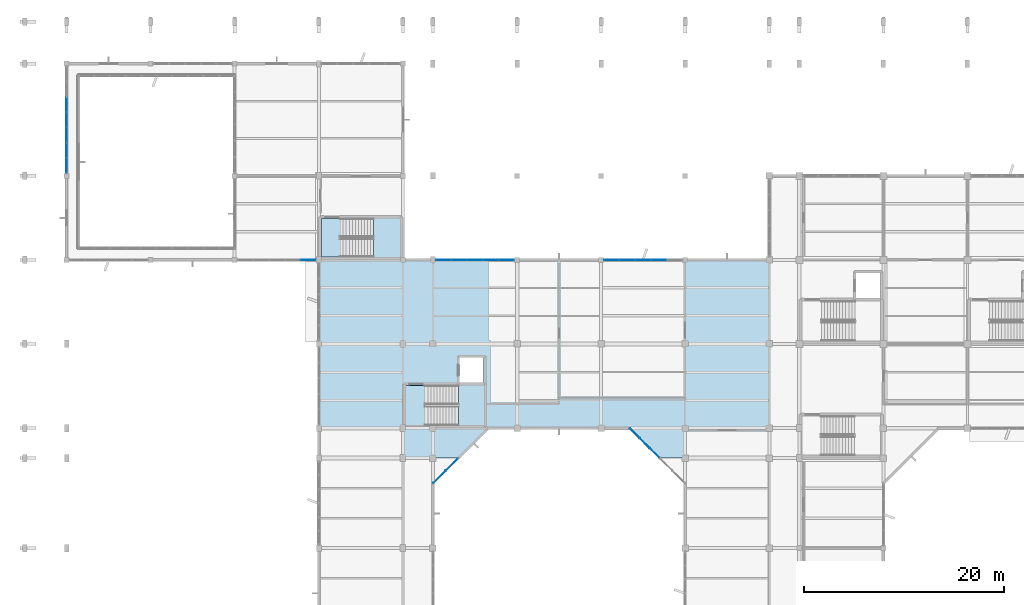
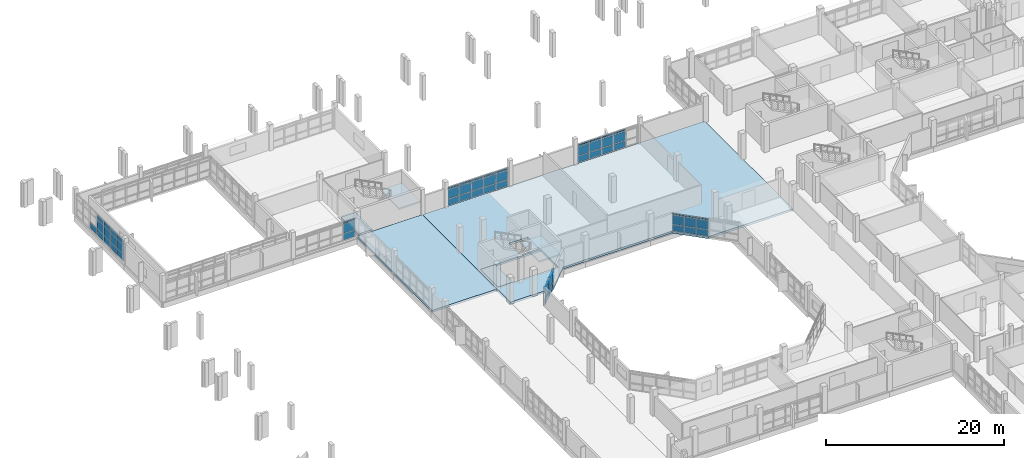
# One storey, part 59 of 104: 58 plates, 6 slabs, 8 elements without a shape of their own.
"""IFC4 building model written with IfcOpenShell, lengths in metres."""

import ifcopenshell
import ifcopenshell.guid

model = None  # the IFC model being written
_history = None  # IfcOwnerHistory: only IFC2X3 demands one
_inside = {}  # id of a spatial element -> (the spatial element, [elements in it])
_under = {}  # id of a project, library or spatial element -> (it, [spatial elements below it])
_declared = {}  # id of a project -> (the project, [libraries it declares])
_typed = {}  # id of a type object -> (the type object, [elements of that type])
_made_of = {}  # id of a material, layer set ... -> (it, [elements and type objects made of it])


def new_model(schema):
    """Start an empty IFC model of exactly this schema.

    Asked for "IFC4X3", IfcOpenShell would pick the latest addendum, in which some entities
    have other attributes; the version numbers below select the first issue.
    IFC2X3 requires an IfcOwnerHistory on every rooted entity: one is made here for all.
    """
    global model, _history
    if schema == "IFC4X3":
        model = ifcopenshell.file(schema_version=(4, 3, 0, 0))
    else:
        model = ifcopenshell.file(schema=schema)
    _inside.clear()
    _under.clear()
    _declared.clear()
    _typed.clear()
    _made_of.clear()
    _history = None
    if model.schema == "IFC2X3":
        org = make("IfcOrganization", Name="unknown")
        user = make(
            "IfcPersonAndOrganization",
            ThePerson=make("IfcPerson", FamilyName="unknown"),
            TheOrganization=org,
        )
        app = make(
            "IfcApplication",
            ApplicationDeveloper=org,
            Version="unknown",
            ApplicationFullName="unknown",
            ApplicationIdentifier="unknown",
        )
        _history = make(
            "IfcOwnerHistory",
            OwningUser=user,
            OwningApplication=app,
            ChangeAction="ADDED",
            CreationDate=0,
        )
    return model


def make(cls, **values):
    """One entity of the class cls with the attributes given. An attribute that is None is left unset."""
    return model.create_entity(
        cls, **{name: value for name, value in values.items() if value is not None}
    )


def rooted(cls, **values):
    """An entity with a GlobalId (a new one), such as an element, a storey or a relation."""
    return make(cls, GlobalId=ifcopenshell.guid.new(), OwnerHistory=_history, **values)


def si_unit(unit_type, name, prefix=None):
    """IfcSIUnit, for example si_unit("LENGTHUNIT", "METRE", prefix="MILLI")."""
    return make("IfcSIUnit", UnitType=unit_type, Prefix=prefix, Name=name)


def assignment(units):
    """IfcUnitAssignment: the units of a project."""
    return None if units is None else make("IfcUnitAssignment", Units=units)


def point(xyz):
    """IfcCartesianPoint."""
    return None if xyz is None else make("IfcCartesianPoint", Coordinates=xyz)


def direction(xyz):
    """IfcDirection."""
    return None if xyz is None else make("IfcDirection", DirectionRatios=xyz)


def frame(location, z_axis=None, x_axis=None):
    """IfcAxis2Placement3D, a coordinate frame: its origin and axes. An axis left out is left unset."""
    return make(
        "IfcAxis2Placement3D",
        Location=point(location),
        Axis=direction(z_axis),
        RefDirection=direction(x_axis),
    )


def frame_2d(location, x_axis=None):
    """IfcAxis2Placement2D, a coordinate frame in the plane: its origin and x axis."""
    return make(
        "IfcAxis2Placement2D", Location=point(location), RefDirection=direction(x_axis)
    )


def origin():
    """The frame at (0, 0, 0) with its axes left unset."""
    return frame((0.0, 0.0, 0.0))


def origin_2d():
    """The frame at (0, 0) in the plane with its x axis left unset."""
    return frame_2d((0.0, 0.0))


def place(relative_to, where):
    """IfcLocalPlacement: puts the frame where relative to a parent placement (None: the world)."""
    return make(
        "IfcLocalPlacement", PlacementRelTo=relative_to, RelativePlacement=where
    )


def context(
    kind, dimensions, precision=None, world=None, true_north=None, identifier=None
):
    """IfcGeometricRepresentationContext, for example the 3D "Model" context."""
    return make(
        "IfcGeometricRepresentationContext",
        ContextIdentifier=identifier,
        ContextType=kind,
        CoordinateSpaceDimension=dimensions,
        Precision=precision,
        WorldCoordinateSystem=world,
        TrueNorth=true_north,
    )


def subcontext(parent, identifier, kind, view, scale=None):
    """IfcGeometricRepresentationSubContext, for example "Body" below "Model"."""
    return make(
        "IfcGeometricRepresentationSubContext",
        ContextIdentifier=identifier,
        ContextType=kind,
        ParentContext=parent,
        TargetScale=scale,
        TargetView=view,
    )


def project(units=None, contexts=None):
    """IfcProject with its units and contexts."""
    return rooted(
        "IfcProject",
        Name="project",
        RepresentationContexts=contexts,
        UnitsInContext=assignment(units),
    )


def spatial(cls, under=None, at=None, **own):
    """A site, building, storey or space (cls), placed at a placement, below another one or the project."""
    s = rooted(cls, ObjectPlacement=at, **own)
    if under is not None:
        _under.setdefault(under.id(), (under, []))[1].append(s)
    return s


def polyline(points):
    """IfcPolyline through the points."""
    return make("IfcPolyline", Points=[point(p) for p in points])


def profile(cls, at=None, kind="AREA", **sizes):
    """A parametric profile (cls). Its sizes go by their IFC names, for example OverallWidth=200.0."""
    return make(cls, ProfileType=kind, Position=at, **sizes)


def rectangle(**sizes):
    """IfcRectangleProfileDef."""
    return profile("IfcRectangleProfileDef", **sizes)


def outline(outer, holes=None, kind="AREA"):
    """IfcArbitraryClosedProfileDef: a profile drawn as a closed curve; with holes, ...WithVoids."""
    if holes is None:
        return make("IfcArbitraryClosedProfileDef", ProfileType=kind, OuterCurve=outer)
    return make(
        "IfcArbitraryProfileDefWithVoids",
        ProfileType=kind,
        OuterCurve=outer,
        InnerCurves=holes,
    )


def extrude(swept, where, along, depth):
    """IfcExtrudedAreaSolid: the profile swept, set in the frame where, extruded along a direction by depth."""
    return make(
        "IfcExtrudedAreaSolid",
        SweptArea=swept,
        Position=where,
        ExtrudedDirection=direction(along),
        Depth=depth,
    )


def shape(context_of_items, identifier, shape_type, items):
    """IfcShapeRepresentation: the items that make up one representation, for example the "Body"."""
    return make(
        "IfcShapeRepresentation",
        ContextOfItems=context_of_items,
        RepresentationIdentifier=identifier,
        RepresentationType=shape_type,
        Items=items,
    )


def material(Name=None, Category=None):
    """IfcMaterial."""
    return make("IfcMaterial", Name=Name, Category=Category)


def layer(
    of_material, thickness, ventilated=None, Name=None, Category=None, Priority=None
):
    """IfcMaterialLayer: one layer of a wall or slab, of a material (None: an air gap)."""
    return make(
        "IfcMaterialLayer",
        Material=of_material,
        LayerThickness=thickness,
        IsVentilated=ventilated,
        Name=Name,
        Category=Category,
        Priority=Priority,
    )


def layer_set(layers, Name=None):
    """IfcMaterialLayerSet."""
    return make("IfcMaterialLayerSet", MaterialLayers=layers, LayerSetName=Name)


def made_of(thing, what):
    """Note that an element or type object is made of a material, layer set ...; save() writes the relation."""
    if what is not None:
        _made_of.setdefault(what.id(), (what, []))[1].append(thing)
    return thing


def type_object(cls, material=None, **own):
    """A type object (cls), such as IfcWallType, which elements share."""
    return made_of(rooted(cls, **own), material)


def element(
    cls,
    number,
    at=None,
    inside=None,
    cuts=None,
    type_object=None,
    material=None,
    context=None,
    identifier="Body",
    shape_type=None,
    held_by="IfcProductDefinitionShape",
    body=None,
    shapes=None,
    **own,
):
    """One element of the class cls, such as IfcWall. Its Tag is "e" and its number.

    at: its placement. inside: the storey or other place that contains it. cuts: it is an
    opening in that element (IfcRelVoidsElement). A single representation is given by context,
    identifier, shape_type and body (its items); several are given by shapes. held_by: the class
    of the entity that holds the representations. save() writes the other relations.
    """
    e = rooted(cls, Tag="e%d" % number, ObjectPlacement=at, **own)
    if body is not None:
        shapes = [shape(context, identifier, shape_type, body)]
    if shapes is not None:
        e.Representation = make(held_by, Representations=shapes)
    if inside is not None:
        _inside.setdefault(inside.id(), (inside, []))[1].append(e)
    if cuts is not None:
        rooted(
            "IfcRelVoidsElement", RelatingBuildingElement=cuts, RelatedOpeningElement=e
        )
    if type_object is not None:
        _typed.setdefault(type_object.id(), (type_object, []))[1].append(e)
    return made_of(e, material)


def aggregate(whole, parts):
    """IfcRelAggregates: a whole, such as a stair, and the parts it consists of."""
    return rooted("IfcRelAggregates", RelatingObject=whole, RelatedObjects=parts)


def save(model, path):
    """Write the relations noted so far, then the file.

    IfcRelAggregates (storeys below a building ...), IfcRelContainedInSpatialStructure (elements
    in a storey), IfcRelDefinesByType, IfcRelAssociatesMaterial and IfcRelDeclares: one each for
    every whole, place, type object, material and project.
    """
    for whole, parts in _under.values():
        aggregate(whole, parts)
    for where, things in _inside.values():
        rooted(
            "IfcRelContainedInSpatialStructure",
            RelatedElements=things,
            RelatingStructure=where,
        )
    for kind, things in _typed.values():
        rooted("IfcRelDefinesByType", RelatedObjects=things, RelatingType=kind)
    for what, things in _made_of.values():
        rooted("IfcRelAssociatesMaterial", RelatedObjects=things, RelatingMaterial=what)
    for by, libraries in _declared.values():
        rooted("IfcRelDeclares", RelatingContext=by, RelatedDefinitions=libraries)
    model.write(path)


model = new_model("IFC4")

# Units and contexts
model_context = context("Model", 3, precision=1e-05, world=origin(), true_north=direction((0.0, 1.0)))
body_context = subcontext(model_context, "Body", "Model", "MODEL_VIEW")
ifc_project = project(units=[si_unit("LENGTHUNIT", "METRE"), si_unit("AREAUNIT", "SQUARE_METRE"), si_unit("VOLUMEUNIT", "CUBIC_METRE"), si_unit("PLANEANGLEUNIT", "RADIAN"), si_unit("MASSUNIT", "GRAM", prefix="KILO")], contexts=[model_context])

# Site, building, storey
site_placement = place(None, origin())
site = spatial("IfcSite", under=ifc_project, at=site_placement, CompositionType="ELEMENT")
building_placement = place(site_placement, origin())
building = spatial("IfcBuilding", under=site, at=building_placement, Name="Vanh Quang Courtyard School", CompositionType="ELEMENT")
storey_placement = place(building_placement, frame((0.0, 0.0, 4.199951171875)))
storey = spatial("IfcBuildingStorey", under=building, at=storey_placement, Name="L01", CompositionType="ELEMENT", Elevation=4.199951171875)

# Curtain wall, plates
ifc_material_1 = material(Name="Thermally broken aluminium unitised curtain wall", Category="aluminium")
curtain_wall_type_1 = type_object("IfcCurtainWallType", Name="CW-SYS-19", PredefinedType="NOTDEFINED", material=ifc_material_1)
curtain_wall_1_placement = place(storey_placement, origin())
curtain_wall_1 = element("IfcCurtainWall", 1, at=curtain_wall_1_placement, inside=storey, type_object=curtain_wall_type_1, Name="Curtain Wall CW-19 (L01)", PredefinedType="NOTDEFINED")
ifc_material_2 = material(Name="Low-E laminated double glazing", Category="glass")
ifc_layer_1 = layer(ifc_material_2, 0.028076171875)
ifc_layer_set_1 = layer_set([ifc_layer_1], Name="Low-E laminated double glazing")
plate_type_1 = type_object("IfcPlateType", Name="CW-PNL-28", PredefinedType="CURTAIN_PANEL", material=ifc_layer_set_1)
plate_1_placement = place(storey_placement, frame((28.33349609375, 88.199951171875, 0.080078125), z_axis=(0.0, 0.0, 1.0), x_axis=(-1.0, 0.0, 0.0)))
plate_1 = element("IfcPlate", 2, at=plate_1_placement, type_object=plate_type_1, Name="CW-19 panel 1.1", PredefinedType="CURTAIN_PANEL", context=body_context, shape_type="SweptSolid", body=[
    extrude(rectangle(XDim=1.456787109375, YDim=0.028076171875, at=origin_2d()), origin(), (0.0, 0.0, 1.0), 0.830078125),
])
plate_2_placement = place(storey_placement, frame((28.33349609375, 88.199951171875, 0.990234375), z_axis=(0.0, 0.0, 1.0), x_axis=(-1.0, 0.0, 0.0)))
plate_2 = element("IfcPlate", 3, at=plate_2_placement, type_object=plate_type_1, Name="CW-19 panel 1.2", PredefinedType="CURTAIN_PANEL", context=body_context, shape_type="SweptSolid", body=[
    extrude(rectangle(XDim=1.456787109375, YDim=0.028076171875, at=origin_2d()), origin(), (0.0, 0.0, 1.0), 1.219970703125),
])
plate_3_placement = place(storey_placement, frame((28.33349609375, 88.199951171875, 2.2900390625), z_axis=(0.0, 0.0, 1.0), x_axis=(-1.0, 0.0, 0.0)))
plate_3 = element("IfcPlate", 4, at=plate_3_placement, type_object=plate_type_1, Name="CW-19 panel 1.3", PredefinedType="CURTAIN_PANEL", context=body_context, shape_type="SweptSolid", body=[
    extrude(rectangle(XDim=1.456787109375, YDim=0.028076171875, at=origin_2d()), origin(), (0.0, 0.0, 1.0), 0.2099609375),
])
aggregate(curtain_wall_1, [plate_1, plate_2, plate_3])

curtain_wall_type_2 = type_object("IfcCurtainWallType", Name="CW-SYS-22", PredefinedType="NOTDEFINED", material=ifc_material_1)
curtain_wall_2_placement = place(storey_placement, origin())
curtain_wall_2 = element("IfcCurtainWall", 5, at=curtain_wall_2_placement, inside=storey, type_object=curtain_wall_type_2, Name="Curtain Wall CW-22 (L01)", PredefinedType="NOTDEFINED")
plate_4_placement = place(storey_placement, frame((4.199951171875, 97.638671875, 0.06982421875), z_axis=(0.0, 0.0, 1.0), x_axis=(0.0, 1.0, 0.0)))
plate_4 = element("IfcPlate", 6, at=plate_4_placement, type_object=plate_type_1, Name="CW-22 panel 1.1", PredefinedType="CURTAIN_PANEL", context=body_context, shape_type="SweptSolid", body=[
    extrude(rectangle(XDim=1.42138671875, YDim=0.028076171875, at=origin_2d()), origin(), (0.0, 0.0, 1.0), 0.844970703125),
])
plate_5_placement = place(storey_placement, frame((4.199951171875, 97.638671875, 0.985107421875), z_axis=(0.0, 0.0, 1.0), x_axis=(0.0, 1.0, 0.0)))
plate_5 = element("IfcPlate", 7, at=plate_5_placement, type_object=plate_type_1, Name="CW-22 panel 1.2", PredefinedType="CURTAIN_PANEL", context=body_context, shape_type="SweptSolid", body=[
    extrude(rectangle(XDim=1.42138671875, YDim=0.028076171875, at=origin_2d()), origin(), (0.0, 0.0, 1.0), 1.22998046875),
])
plate_6_placement = place(storey_placement, frame((4.199951171875, 97.638671875, 2.28515625), z_axis=(0.0, 0.0, 1.0), x_axis=(0.0, 1.0, 0.0)))
plate_6 = element("IfcPlate", 8, at=plate_6_placement, type_object=plate_type_1, Name="CW-22 panel 1.3", PredefinedType="CURTAIN_PANEL", context=body_context, shape_type="SweptSolid", body=[
    extrude(rectangle(XDim=1.42138671875, YDim=0.028076171875, at=origin_2d()), origin(), (0.0, 0.0, 1.0), 0.60498046875),
])
plate_7_placement = place(storey_placement, frame((4.199951171875, 99.1474609375, 0.06982421875), z_axis=(0.0, 0.0, 1.0), x_axis=(0.0, 1.0, 0.0)))
plate_7 = element("IfcPlate", 9, at=plate_7_placement, type_object=plate_type_1, Name="CW-22 panel 2.1", PredefinedType="CURTAIN_PANEL", context=body_context, shape_type="SweptSolid", body=[
    extrude(rectangle(XDim=1.456298828125, YDim=0.028076171875, at=origin_2d()), origin(), (0.0, 0.0, 1.0), 0.844970703125),
])
plate_8_placement = place(storey_placement, frame((4.199951171875, 99.1474609375, 0.985107421875), z_axis=(0.0, 0.0, 1.0), x_axis=(0.0, 1.0, 0.0)))
plate_8 = element("IfcPlate", 10, at=plate_8_placement, type_object=plate_type_1, Name="CW-22 panel 2.2", PredefinedType="CURTAIN_PANEL", context=body_context, shape_type="SweptSolid", body=[
    extrude(rectangle(XDim=1.456298828125, YDim=0.028076171875, at=origin_2d()), origin(), (0.0, 0.0, 1.0), 1.22998046875),
])
plate_9_placement = place(storey_placement, frame((4.199951171875, 99.1474609375, 2.28515625), z_axis=(0.0, 0.0, 1.0), x_axis=(0.0, 1.0, 0.0)))
plate_9 = element("IfcPlate", 11, at=plate_9_placement, type_object=plate_type_1, Name="CW-22 panel 2.3", PredefinedType="CURTAIN_PANEL", context=body_context, shape_type="SweptSolid", body=[
    extrude(rectangle(XDim=1.456298828125, YDim=0.028076171875, at=origin_2d()), origin(), (0.0, 0.0, 1.0), 0.60498046875),
])
plate_10_placement = place(storey_placement, frame((4.199951171875, 100.673828125, 0.06982421875), z_axis=(0.0, 0.0, 1.0), x_axis=(0.0, 1.0, 0.0)))
plate_10 = element("IfcPlate", 12, at=plate_10_placement, type_object=plate_type_1, Name="CW-22 panel 3.1", PredefinedType="CURTAIN_PANEL", context=body_context, shape_type="SweptSolid", body=[
    extrude(rectangle(XDim=1.456298828125, YDim=0.028076171875, at=origin_2d()), origin(), (0.0, 0.0, 1.0), 0.844970703125),
])
plate_11_placement = place(storey_placement, frame((4.199951171875, 100.673828125, 0.985107421875), z_axis=(0.0, 0.0, 1.0), x_axis=(0.0, 1.0, 0.0)))
plate_11 = element("IfcPlate", 13, at=plate_11_placement, type_object=plate_type_1, Name="CW-22 panel 3.2", PredefinedType="CURTAIN_PANEL", context=body_context, shape_type="SweptSolid", body=[
    extrude(rectangle(XDim=1.456298828125, YDim=0.028076171875, at=origin_2d()), origin(), (0.0, 0.0, 1.0), 1.22998046875),
])
plate_12_placement = place(storey_placement, frame((4.199951171875, 100.673828125, 2.28515625), z_axis=(0.0, 0.0, 1.0), x_axis=(0.0, 1.0, 0.0)))
plate_12 = element("IfcPlate", 14, at=plate_12_placement, type_object=plate_type_1, Name="CW-22 panel 3.3", PredefinedType="CURTAIN_PANEL", context=body_context, shape_type="SweptSolid", body=[
    extrude(rectangle(XDim=1.456298828125, YDim=0.028076171875, at=origin_2d()), origin(), (0.0, 0.0, 1.0), 0.60498046875),
])
plate_13_placement = place(storey_placement, frame((4.199951171875, 102.199951171875, 0.06982421875), z_axis=(0.0, 0.0, 1.0), x_axis=(0.0, 1.0, 0.0)))
plate_13 = element("IfcPlate", 15, at=plate_13_placement, type_object=plate_type_1, Name="CW-22 panel 4.1", PredefinedType="CURTAIN_PANEL", context=body_context, shape_type="SweptSolid", body=[
    extrude(rectangle(XDim=1.456298828125, YDim=0.028076171875, at=origin_2d()), origin(), (0.0, 0.0, 1.0), 0.844970703125),
])
plate_14_placement = place(storey_placement, frame((4.199951171875, 102.199951171875, 0.985107421875), z_axis=(0.0, 0.0, 1.0), x_axis=(0.0, 1.0, 0.0)))
plate_14 = element("IfcPlate", 16, at=plate_14_placement, type_object=plate_type_1, Name="CW-22 panel 4.2", PredefinedType="CURTAIN_PANEL", context=body_context, shape_type="SweptSolid", body=[
    extrude(rectangle(XDim=1.456298828125, YDim=0.028076171875, at=origin_2d()), origin(), (0.0, 0.0, 1.0), 1.22998046875),
])
plate_15_placement = place(storey_placement, frame((4.199951171875, 102.199951171875, 2.28515625), z_axis=(0.0, 0.0, 1.0), x_axis=(0.0, 1.0, 0.0)))
plate_15 = element("IfcPlate", 17, at=plate_15_placement, type_object=plate_type_1, Name="CW-22 panel 4.3", PredefinedType="CURTAIN_PANEL", context=body_context, shape_type="SweptSolid", body=[
    extrude(rectangle(XDim=1.456298828125, YDim=0.028076171875, at=origin_2d()), origin(), (0.0, 0.0, 1.0), 0.60498046875),
])
plate_16_placement = place(storey_placement, frame((4.199951171875, 103.726318359375, 0.06982421875), z_axis=(0.0, 0.0, 1.0), x_axis=(0.0, 1.0, 0.0)))
plate_16 = element("IfcPlate", 18, at=plate_16_placement, type_object=plate_type_1, Name="CW-22 panel 5.1", PredefinedType="CURTAIN_PANEL", context=body_context, shape_type="SweptSolid", body=[
    extrude(rectangle(XDim=1.456298828125, YDim=0.028076171875, at=origin_2d()), origin(), (0.0, 0.0, 1.0), 0.844970703125),
])
aggregate(curtain_wall_2, [plate_4, plate_5, plate_6, plate_7, plate_8, plate_9, plate_10, plate_11, plate_12, plate_13, plate_14, plate_15, plate_16])

curtain_wall_3_placement = place(storey_placement, origin())
curtain_wall_3 = element("IfcCurtainWall", 19, at=curtain_wall_3_placement, inside=storey, type_object=curtain_wall_type_1, Name="Curtain Wall CW-19 (L01)", PredefinedType="NOTDEFINED")
plate_17_placement = place(storey_placement, frame((58.66650390625, 88.199951171875, 0.080078125), z_axis=(0.0, 0.0, 1.0), x_axis=(1.0, 0.0, 0.0)))
plate_17 = element("IfcPlate", 20, at=plate_17_placement, type_object=plate_type_1, Name="CW-19 panel 1.1", PredefinedType="CURTAIN_PANEL", context=body_context, shape_type="SweptSolid", body=[
    extrude(rectangle(XDim=1.456787109375, YDim=0.028076171875, at=origin_2d()), origin(), (0.0, 0.0, 1.0), 0.830078125),
])
plate_18_placement = place(storey_placement, frame((58.66650390625, 88.199951171875, 0.990234375), z_axis=(0.0, 0.0, 1.0), x_axis=(1.0, 0.0, 0.0)))
plate_18 = element("IfcPlate", 21, at=plate_18_placement, type_object=plate_type_1, Name="CW-19 panel 1.2", PredefinedType="CURTAIN_PANEL", context=body_context, shape_type="SweptSolid", body=[
    extrude(rectangle(XDim=1.456787109375, YDim=0.028076171875, at=origin_2d()), origin(), (0.0, 0.0, 1.0), 1.219970703125),
])
plate_19_placement = place(storey_placement, frame((58.66650390625, 88.199951171875, 2.2900390625), z_axis=(0.0, 0.0, 1.0), x_axis=(1.0, 0.0, 0.0)))
plate_19 = element("IfcPlate", 22, at=plate_19_placement, type_object=plate_type_1, Name="CW-19 panel 1.3", PredefinedType="CURTAIN_PANEL", context=body_context, shape_type="SweptSolid", body=[
    extrude(rectangle(XDim=1.456787109375, YDim=0.028076171875, at=origin_2d()), origin(), (0.0, 0.0, 1.0), 0.22998046875),
])
plate_20_placement = place(storey_placement, frame((60.22314453125, 88.199951171875, 0.080078125), z_axis=(0.0, 0.0, 1.0), x_axis=(1.0, 0.0, 0.0)))
plate_20 = element("IfcPlate", 23, at=plate_20_placement, type_object=plate_type_1, Name="CW-19 panel 2.1", PredefinedType="CURTAIN_PANEL", context=body_context, shape_type="SweptSolid", body=[
    extrude(rectangle(XDim=1.496826171875, YDim=0.028076171875, at=origin_2d()), origin(), (0.0, 0.0, 1.0), 0.830078125),
])
plate_21_placement = place(storey_placement, frame((60.22314453125, 88.199951171875, 0.990234375), z_axis=(0.0, 0.0, 1.0), x_axis=(1.0, 0.0, 0.0)))
plate_21 = element("IfcPlate", 24, at=plate_21_placement, type_object=plate_type_1, Name="CW-19 panel 2.2", PredefinedType="CURTAIN_PANEL", context=body_context, shape_type="SweptSolid", body=[
    extrude(rectangle(XDim=1.496826171875, YDim=0.028076171875, at=origin_2d()), origin(), (0.0, 0.0, 1.0), 1.219970703125),
])
plate_22_placement = place(storey_placement, frame((60.22314453125, 88.199951171875, 2.2900390625), z_axis=(0.0, 0.0, 1.0), x_axis=(1.0, 0.0, 0.0)))
plate_22 = element("IfcPlate", 25, at=plate_22_placement, type_object=plate_type_1, Name="CW-19 panel 2.3", PredefinedType="CURTAIN_PANEL", context=body_context, shape_type="SweptSolid", body=[
    extrude(rectangle(XDim=1.496826171875, YDim=0.028076171875, at=origin_2d()), origin(), (0.0, 0.0, 1.0), 0.22998046875),
])
plate_23_placement = place(storey_placement, frame((61.800048828125, 88.199951171875, 0.080078125), z_axis=(0.0, 0.0, 1.0), x_axis=(1.0, 0.0, 0.0)))
plate_23 = element("IfcPlate", 26, at=plate_23_placement, type_object=plate_type_1, Name="CW-19 panel 3.1", PredefinedType="CURTAIN_PANEL", context=body_context, shape_type="SweptSolid", body=[
    extrude(rectangle(XDim=1.496826171875, YDim=0.028076171875, at=origin_2d()), origin(), (0.0, 0.0, 1.0), 0.830078125),
])
plate_24_placement = place(storey_placement, frame((61.800048828125, 88.199951171875, 0.990234375), z_axis=(0.0, 0.0, 1.0), x_axis=(1.0, 0.0, 0.0)))
plate_24 = element("IfcPlate", 27, at=plate_24_placement, type_object=plate_type_1, Name="CW-19 panel 3.2", PredefinedType="CURTAIN_PANEL", context=body_context, shape_type="SweptSolid", body=[
    extrude(rectangle(XDim=1.496826171875, YDim=0.028076171875, at=origin_2d()), origin(), (0.0, 0.0, 1.0), 1.219970703125),
])
plate_25_placement = place(storey_placement, frame((61.800048828125, 88.199951171875, 2.2900390625), z_axis=(0.0, 0.0, 1.0), x_axis=(1.0, 0.0, 0.0)))
plate_25 = element("IfcPlate", 28, at=plate_25_placement, type_object=plate_type_1, Name="CW-19 panel 3.3", PredefinedType="CURTAIN_PANEL", context=body_context, shape_type="SweptSolid", body=[
    extrude(rectangle(XDim=1.496826171875, YDim=0.028076171875, at=origin_2d()), origin(), (0.0, 0.0, 1.0), 0.22998046875),
])
plate_26_placement = place(storey_placement, frame((63.376708984375, 88.199951171875, 0.080078125), z_axis=(0.0, 0.0, 1.0), x_axis=(1.0, 0.0, 0.0)))
plate_26 = element("IfcPlate", 29, at=plate_26_placement, type_object=plate_type_1, Name="CW-19 panel 4.1", PredefinedType="CURTAIN_PANEL", context=body_context, shape_type="SweptSolid", body=[
    extrude(rectangle(XDim=1.496826171875, YDim=0.028076171875, at=origin_2d()), origin(), (0.0, 0.0, 1.0), 0.830078125),
])
plate_27_placement = place(storey_placement, frame((63.376708984375, 88.199951171875, 0.990234375), z_axis=(0.0, 0.0, 1.0), x_axis=(1.0, 0.0, 0.0)))
plate_27 = element("IfcPlate", 30, at=plate_27_placement, type_object=plate_type_1, Name="CW-19 panel 4.2", PredefinedType="CURTAIN_PANEL", context=body_context, shape_type="SweptSolid", body=[
    extrude(rectangle(XDim=1.496826171875, YDim=0.028076171875, at=origin_2d()), origin(), (0.0, 0.0, 1.0), 1.219970703125),
])
plate_28_placement = place(storey_placement, frame((63.376708984375, 88.199951171875, 2.2900390625), z_axis=(0.0, 0.0, 1.0), x_axis=(1.0, 0.0, 0.0)))
plate_28 = element("IfcPlate", 31, at=plate_28_placement, type_object=plate_type_1, Name="CW-19 panel 4.3", PredefinedType="CURTAIN_PANEL", context=body_context, shape_type="SweptSolid", body=[
    extrude(rectangle(XDim=1.496826171875, YDim=0.028076171875, at=origin_2d()), origin(), (0.0, 0.0, 1.0), 0.22998046875),
])
aggregate(curtain_wall_3, [plate_17, plate_18, plate_19, plate_20, plate_21, plate_22, plate_23, plate_24, plate_25, plate_26, plate_27, plate_28])

curtain_wall_type_3 = type_object("IfcCurtainWallType", Name="CW-SYS-41", PredefinedType="NOTDEFINED", material=ifc_material_1)
curtain_wall_4_placement = place(storey_placement, origin())
curtain_wall_4 = element("IfcCurtainWall", 32, at=curtain_wall_4_placement, inside=storey, type_object=curtain_wall_type_3, Name="Curtain Wall CW-41 (L01)", PredefinedType="NOTDEFINED")
plate_29_placement = place(storey_placement, frame((42.695556640625, 67.751708984375, 0.06982421875), z_axis=(0.0, 0.0, 1.0), x_axis=(-0.707106781187, -0.707106781187, 0.0)))
plate_29 = element("IfcPlate", 33, at=plate_29_placement, type_object=plate_type_1, Name="CW-41 panel 1.1", PredefinedType="CURTAIN_PANEL", context=body_context, shape_type="SweptSolid", body=[
    extrude(rectangle(XDim=1.69384765625, YDim=0.028076171875, at=origin_2d()), origin(), (0.0, 0.0, 1.0), 0.844970703125),
])
plate_30_placement = place(storey_placement, frame((42.695556640625, 67.751708984375, 0.985107421875), z_axis=(0.0, 0.0, 1.0), x_axis=(-0.707106781187, -0.707106781187, 0.0)))
plate_30 = element("IfcPlate", 34, at=plate_30_placement, type_object=plate_type_1, Name="CW-41 panel 1.2", PredefinedType="CURTAIN_PANEL", context=body_context, shape_type="SweptSolid", body=[
    extrude(rectangle(XDim=1.69384765625, YDim=0.028076171875, at=origin_2d()), origin(), (0.0, 0.0, 1.0), 1.22998046875),
])
plate_31_placement = place(storey_placement, frame((42.695556640625, 67.751708984375, 2.284912109375), z_axis=(0.0, 0.0, 1.0), x_axis=(-0.707106781187, -0.707106781187, 0.0)))
plate_31 = element("IfcPlate", 35, at=plate_31_placement, type_object=plate_type_1, Name="CW-41 panel 1.3", PredefinedType="CURTAIN_PANEL", context=body_context, shape_type="SweptSolid", body=[
    extrude(rectangle(XDim=1.69384765625, YDim=0.028076171875, at=origin_2d()), origin(), (0.0, 0.0, 1.0), 0.2451171875),
])
plate_32_placement = place(storey_placement, frame((41.448486328125, 66.50439453125, 0.06982421875), z_axis=(0.0, 0.0, 1.0), x_axis=(-0.707106781187, -0.707106781187, 0.0)))
plate_32 = element("IfcPlate", 36, at=plate_32_placement, type_object=plate_type_1, Name="CW-41 panel 2.1", PredefinedType="CURTAIN_PANEL", context=body_context, shape_type="SweptSolid", body=[
    extrude(rectangle(XDim=1.69384765625, YDim=0.028076171875, at=origin_2d()), origin(), (0.0, 0.0, 1.0), 0.844970703125),
])
plate_33_placement = place(storey_placement, frame((41.448486328125, 66.50439453125, 0.985107421875), z_axis=(0.0, 0.0, 1.0), x_axis=(-0.707106781187, -0.707106781187, 0.0)))
plate_33 = element("IfcPlate", 37, at=plate_33_placement, type_object=plate_type_1, Name="CW-41 panel 2.2", PredefinedType="CURTAIN_PANEL", context=body_context, shape_type="SweptSolid", body=[
    extrude(rectangle(XDim=1.69384765625, YDim=0.028076171875, at=origin_2d()), origin(), (0.0, 0.0, 1.0), 1.22998046875),
])
plate_34_placement = place(storey_placement, frame((41.448486328125, 66.50439453125, 2.284912109375), z_axis=(0.0, 0.0, 1.0), x_axis=(-0.707106781187, -0.707106781187, 0.0)))
plate_34 = element("IfcPlate", 38, at=plate_34_placement, type_object=plate_type_1, Name="CW-41 panel 2.3", PredefinedType="CURTAIN_PANEL", context=body_context, shape_type="SweptSolid", body=[
    extrude(rectangle(XDim=1.69384765625, YDim=0.028076171875, at=origin_2d()), origin(), (0.0, 0.0, 1.0), 0.2451171875),
])
aggregate(curtain_wall_4, [plate_29, plate_30, plate_31, plate_32, plate_33, plate_34])

curtain_wall_5_placement = place(storey_placement, origin())
curtain_wall_5 = element("IfcCurtainWall", 39, at=curtain_wall_5_placement, inside=storey, type_object=curtain_wall_type_1, Name="Curtain Wall CW-19 (L01)", PredefinedType="NOTDEFINED")
ifc_layer_2 = layer(ifc_material_2, 0.031982421875)
ifc_layer_set_2 = layer_set([ifc_layer_2], Name="Low-E laminated double glazing")
plate_type_2 = type_object("IfcPlateType", Name="CW-PNL-32", PredefinedType="CURTAIN_PANEL", material=ifc_layer_set_2)
plate_35_placement = place(storey_placement, frame((41.864013671875, 88.199951171875, 0.06982421875), z_axis=(0.0, 0.0, 1.0), x_axis=(1.0, 0.0, 0.0)))
plate_35 = element("IfcPlate", 40, at=plate_35_placement, type_object=plate_type_2, Name="CW-19 panel 1.1", PredefinedType="CURTAIN_PANEL", context=body_context, shape_type="SweptSolid", body=[
    extrude(rectangle(XDim=1.4716796875, YDim=0.031982421875, at=origin_2d()), origin(), (0.0, 0.0, 1.0), 0.844970703125),
])
plate_36_placement = place(storey_placement, frame((41.864013671875, 88.199951171875, 0.985107421875), z_axis=(0.0, 0.0, 1.0), x_axis=(1.0, 0.0, 0.0)))
plate_36 = element("IfcPlate", 41, at=plate_36_placement, type_object=plate_type_2, Name="CW-19 panel 1.2", PredefinedType="CURTAIN_PANEL", context=body_context, shape_type="SweptSolid", body=[
    extrude(rectangle(XDim=1.4716796875, YDim=0.031982421875, at=origin_2d()), origin(), (0.0, 0.0, 1.0), 1.22998046875),
])
plate_37_placement = place(storey_placement, frame((41.864013671875, 88.199951171875, 2.284912109375), z_axis=(0.0, 0.0, 1.0), x_axis=(1.0, 0.0, 0.0)))
plate_37 = element("IfcPlate", 42, at=plate_37_placement, type_object=plate_type_2, Name="CW-19 panel 1.3", PredefinedType="CURTAIN_PANEL", context=body_context, shape_type="SweptSolid", body=[
    extrude(rectangle(XDim=1.4716796875, YDim=0.031982421875, at=origin_2d()), origin(), (0.0, 0.0, 1.0), 0.2451171875),
])
plate_38_placement = place(storey_placement, frame((43.423095703125, 88.199951171875, 0.06982421875), z_axis=(0.0, 0.0, 1.0), x_axis=(1.0, 0.0, 0.0)))
plate_38 = element("IfcPlate", 43, at=plate_38_placement, type_object=plate_type_2, Name="CW-19 panel 2.1", PredefinedType="CURTAIN_PANEL", context=body_context, shape_type="SweptSolid", body=[
    extrude(rectangle(XDim=1.5068359375, YDim=0.031982421875, at=origin_2d()), origin(), (0.0, 0.0, 1.0), 0.844970703125),
])
plate_39_placement = place(storey_placement, frame((43.423095703125, 88.199951171875, 0.985107421875), z_axis=(0.0, 0.0, 1.0), x_axis=(1.0, 0.0, 0.0)))
plate_39 = element("IfcPlate", 44, at=plate_39_placement, type_object=plate_type_2, Name="CW-19 panel 2.2", PredefinedType="CURTAIN_PANEL", context=body_context, shape_type="SweptSolid", body=[
    extrude(rectangle(XDim=1.5068359375, YDim=0.031982421875, at=origin_2d()), origin(), (0.0, 0.0, 1.0), 1.22998046875),
])
plate_40_placement = place(storey_placement, frame((43.423095703125, 88.199951171875, 2.284912109375), z_axis=(0.0, 0.0, 1.0), x_axis=(1.0, 0.0, 0.0)))
plate_40 = element("IfcPlate", 45, at=plate_40_placement, type_object=plate_type_2, Name="CW-19 panel 2.3", PredefinedType="CURTAIN_PANEL", context=body_context, shape_type="SweptSolid", body=[
    extrude(rectangle(XDim=1.5068359375, YDim=0.031982421875, at=origin_2d()), origin(), (0.0, 0.0, 1.0), 0.2451171875),
])
plate_41_placement = place(storey_placement, frame((45.0, 88.199951171875, 0.06982421875), z_axis=(0.0, 0.0, 1.0), x_axis=(1.0, 0.0, 0.0)))
plate_41 = element("IfcPlate", 46, at=plate_41_placement, type_object=plate_type_2, Name="CW-19 panel 3.1", PredefinedType="CURTAIN_PANEL", context=body_context, shape_type="SweptSolid", body=[
    extrude(rectangle(XDim=1.5068359375, YDim=0.031982421875, at=origin_2d()), origin(), (0.0, 0.0, 1.0), 0.844970703125),
])
plate_42_placement = place(storey_placement, frame((45.0, 88.199951171875, 0.985107421875), z_axis=(0.0, 0.0, 1.0), x_axis=(1.0, 0.0, 0.0)))
plate_42 = element("IfcPlate", 47, at=plate_42_placement, type_object=plate_type_2, Name="CW-19 panel 3.2", PredefinedType="CURTAIN_PANEL", context=body_context, shape_type="SweptSolid", body=[
    extrude(rectangle(XDim=1.5068359375, YDim=0.031982421875, at=origin_2d()), origin(), (0.0, 0.0, 1.0), 1.22998046875),
])
plate_43_placement = place(storey_placement, frame((45.0, 88.199951171875, 2.284912109375), z_axis=(0.0, 0.0, 1.0), x_axis=(1.0, 0.0, 0.0)))
plate_43 = element("IfcPlate", 48, at=plate_43_placement, type_object=plate_type_2, Name="CW-19 panel 3.3", PredefinedType="CURTAIN_PANEL", context=body_context, shape_type="SweptSolid", body=[
    extrude(rectangle(XDim=1.5068359375, YDim=0.031982421875, at=origin_2d()), origin(), (0.0, 0.0, 1.0), 0.2451171875),
])
plate_44_placement = place(storey_placement, frame((46.576904296875, 88.199951171875, 0.06982421875), z_axis=(0.0, 0.0, 1.0), x_axis=(1.0, 0.0, 0.0)))
plate_44 = element("IfcPlate", 49, at=plate_44_placement, type_object=plate_type_2, Name="CW-19 panel 4.1", PredefinedType="CURTAIN_PANEL", context=body_context, shape_type="SweptSolid", body=[
    extrude(rectangle(XDim=1.5068359375, YDim=0.031982421875, at=origin_2d()), origin(), (0.0, 0.0, 1.0), 0.844970703125),
])
plate_45_placement = place(storey_placement, frame((46.576904296875, 88.199951171875, 0.985107421875), z_axis=(0.0, 0.0, 1.0), x_axis=(1.0, 0.0, 0.0)))
plate_45 = element("IfcPlate", 50, at=plate_45_placement, type_object=plate_type_2, Name="CW-19 panel 4.2", PredefinedType="CURTAIN_PANEL", context=body_context, shape_type="SweptSolid", body=[
    extrude(rectangle(XDim=1.5068359375, YDim=0.031982421875, at=origin_2d()), origin(), (0.0, 0.0, 1.0), 1.22998046875),
])
plate_46_placement = place(storey_placement, frame((46.576904296875, 88.199951171875, 2.284912109375), z_axis=(0.0, 0.0, 1.0), x_axis=(1.0, 0.0, 0.0)))
plate_46 = element("IfcPlate", 51, at=plate_46_placement, type_object=plate_type_2, Name="CW-19 panel 4.3", PredefinedType="CURTAIN_PANEL", context=body_context, shape_type="SweptSolid", body=[
    extrude(rectangle(XDim=1.5068359375, YDim=0.031982421875, at=origin_2d()), origin(), (0.0, 0.0, 1.0), 0.2451171875),
])
plate_47_placement = place(storey_placement, frame((48.135986328125, 88.199951171875, 0.06982421875), z_axis=(0.0, 0.0, 1.0), x_axis=(1.0, 0.0, 0.0)))
plate_47 = element("IfcPlate", 52, at=plate_47_placement, type_object=plate_type_2, Name="CW-19 panel 5.1", PredefinedType="CURTAIN_PANEL", context=body_context, shape_type="SweptSolid", body=[
    extrude(rectangle(XDim=1.4716796875, YDim=0.031982421875, at=origin_2d()), origin(), (0.0, 0.0, 1.0), 0.844970703125),
])
plate_48_placement = place(storey_placement, frame((48.135986328125, 88.199951171875, 0.985107421875), z_axis=(0.0, 0.0, 1.0), x_axis=(1.0, 0.0, 0.0)))
plate_48 = element("IfcPlate", 53, at=plate_48_placement, type_object=plate_type_2, Name="CW-19 panel 5.2", PredefinedType="CURTAIN_PANEL", context=body_context, shape_type="SweptSolid", body=[
    extrude(rectangle(XDim=1.4716796875, YDim=0.031982421875, at=origin_2d()), origin(), (0.0, 0.0, 1.0), 1.22998046875),
])
plate_49_placement = place(storey_placement, frame((48.135986328125, 88.199951171875, 2.284912109375), z_axis=(0.0, 0.0, 1.0), x_axis=(1.0, 0.0, 0.0)))
plate_49 = element("IfcPlate", 54, at=plate_49_placement, type_object=plate_type_2, Name="CW-19 panel 5.3", PredefinedType="CURTAIN_PANEL", context=body_context, shape_type="SweptSolid", body=[
    extrude(rectangle(XDim=1.4716796875, YDim=0.031982421875, at=origin_2d()), origin(), (0.0, 0.0, 1.0), 0.2451171875),
])
aggregate(curtain_wall_5, [plate_35, plate_36, plate_37, plate_38, plate_39, plate_40, plate_41, plate_42, plate_43, plate_44, plate_45, plate_46, plate_47, plate_48, plate_49])

curtain_wall_type_4 = type_object("IfcCurtainWallType", Name="CW-SYS-42", PredefinedType="NOTDEFINED", material=ifc_material_1)
curtain_wall_6_placement = place(storey_placement, origin())
curtain_wall_6 = element("IfcCurtainWall", 55, at=curtain_wall_6_placement, inside=storey, type_object=curtain_wall_type_4, Name="Curtain Wall CW-42 (L01)", PredefinedType="NOTDEFINED")
plate_50_placement = place(storey_placement, frame((62.9453125, 68.91064453125, 0.06005859375), z_axis=(0.0, 0.0, 1.0), x_axis=(-0.707106781187, 0.707106781187, 0.0)))
plate_50 = element("IfcPlate", 56, at=plate_50_placement, type_object=plate_type_2, Name="CW-42 panel 1.1", PredefinedType="CURTAIN_PANEL", context=body_context, shape_type="SweptSolid", body=[
    extrude(rectangle(XDim=1.32421875, YDim=0.031982421875, at=origin_2d()), origin(), (0.0, 0.0, 1.0), 0.860107421875),
])
plate_51_placement = place(storey_placement, frame((62.9453125, 68.91064453125, 0.97998046875), z_axis=(0.0, 0.0, 1.0), x_axis=(-0.707106781187, 0.707106781187, 0.0)))
plate_51 = element("IfcPlate", 57, at=plate_51_placement, type_object=plate_type_2, Name="CW-42 panel 1.2", PredefinedType="CURTAIN_PANEL", context=body_context, shape_type="SweptSolid", body=[
    extrude(rectangle(XDim=1.32421875, YDim=0.031982421875, at=origin_2d()), origin(), (0.0, 0.0, 1.0), 1.239990234375),
])
plate_52_placement = place(storey_placement, frame((62.9453125, 68.91064453125, 2.2802734375), z_axis=(0.0, 0.0, 1.0), x_axis=(-0.707106781187, 0.707106781187, 0.0)))
plate_52 = element("IfcPlate", 58, at=plate_52_placement, type_object=plate_type_2, Name="CW-42 panel 1.3", PredefinedType="CURTAIN_PANEL", context=body_context, shape_type="SweptSolid", body=[
    extrude(rectangle(XDim=1.32421875, YDim=0.031982421875, at=origin_2d()), origin(), (0.0, 0.0, 1.0), 0.159912109375),
])
plate_53_placement = place(storey_placement, frame((61.9560546875, 69.89990234375, 0.06005859375), z_axis=(0.0, 0.0, 1.0), x_axis=(-0.707106781187, 0.707106781187, 0.0)))
plate_53 = element("IfcPlate", 59, at=plate_53_placement, type_object=plate_type_2, Name="CW-42 panel 2.1", PredefinedType="CURTAIN_PANEL", context=body_context, shape_type="SweptSolid", body=[
    extrude(rectangle(XDim=1.354248046875, YDim=0.031982421875, at=origin_2d()), origin(), (0.0, 0.0, 1.0), 0.860107421875),
])
plate_54_placement = place(storey_placement, frame((61.9560546875, 69.89990234375, 0.97998046875), z_axis=(0.0, 0.0, 1.0), x_axis=(-0.707106781187, 0.707106781187, 0.0)))
plate_54 = element("IfcPlate", 60, at=plate_54_placement, type_object=plate_type_2, Name="CW-42 panel 2.2", PredefinedType="CURTAIN_PANEL", context=body_context, shape_type="SweptSolid", body=[
    extrude(rectangle(XDim=1.354248046875, YDim=0.031982421875, at=origin_2d()), origin(), (0.0, 0.0, 1.0), 1.239990234375),
])
plate_55_placement = place(storey_placement, frame((61.9560546875, 69.89990234375, 2.2802734375), z_axis=(0.0, 0.0, 1.0), x_axis=(-0.707106781187, 0.707106781187, 0.0)))
plate_55 = element("IfcPlate", 61, at=plate_55_placement, type_object=plate_type_2, Name="CW-42 panel 2.3", PredefinedType="CURTAIN_PANEL", context=body_context, shape_type="SweptSolid", body=[
    extrude(rectangle(XDim=1.354248046875, YDim=0.031982421875, at=origin_2d()), origin(), (0.0, 0.0, 1.0), 0.159912109375),
])
plate_56_placement = place(storey_placement, frame((60.966552734375, 70.889404296875, 0.06005859375), z_axis=(0.0, 0.0, 1.0), x_axis=(-0.707106781187, 0.707106781187, 0.0)))
plate_56 = element("IfcPlate", 62, at=plate_56_placement, type_object=plate_type_2, Name="CW-42 panel 3.1", PredefinedType="CURTAIN_PANEL", context=body_context, shape_type="SweptSolid", body=[
    extrude(rectangle(XDim=1.32421875, YDim=0.031982421875, at=origin_2d()), origin(), (0.0, 0.0, 1.0), 0.860107421875),
])
plate_57_placement = place(storey_placement, frame((60.966552734375, 70.889404296875, 0.97998046875), z_axis=(0.0, 0.0, 1.0), x_axis=(-0.707106781187, 0.707106781187, 0.0)))
plate_57 = element("IfcPlate", 63, at=plate_57_placement, type_object=plate_type_2, Name="CW-42 panel 3.2", PredefinedType="CURTAIN_PANEL", context=body_context, shape_type="SweptSolid", body=[
    extrude(rectangle(XDim=1.32421875, YDim=0.031982421875, at=origin_2d()), origin(), (0.0, 0.0, 1.0), 1.239990234375),
])
plate_58_placement = place(storey_placement, frame((60.966552734375, 70.889404296875, 2.2802734375), z_axis=(0.0, 0.0, 1.0), x_axis=(-0.707106781187, 0.707106781187, 0.0)))
plate_58 = element("IfcPlate", 64, at=plate_58_placement, type_object=plate_type_2, Name="CW-42 panel 3.3", PredefinedType="CURTAIN_PANEL", context=body_context, shape_type="SweptSolid", body=[
    extrude(rectangle(XDim=1.32421875, YDim=0.031982421875, at=origin_2d()), origin(), (0.0, 0.0, 1.0), 0.159912109375),
])
aggregate(curtain_wall_6, [plate_50, plate_51, plate_52, plate_53, plate_54, plate_55, plate_56, plate_57, plate_58])

# Slabs
ifc_material_3 = material(Name="Concrete C30/37", Category="concrete")
ifc_layer_3 = layer(ifc_material_3, 0.280029296875)
ifc_layer_set_3 = layer_set([ifc_layer_3], Name="Concrete C30/37")
slab_type_1 = type_object("IfcSlabType", Name="SLB-FLR-280", PredefinedType="FLOOR", material=ifc_layer_set_3)
slab_1_placement = place(storey_placement, frame((0.0, 0.0, -0.280029296875)))
element("IfcSlab", 65, at=slab_1_placement, inside=storey, type_object=slab_type_1, Name="Slab SF-02 (L01)", PredefinedType="FLOOR", context=body_context, shape_type="SweptSolid", body=[
    extrude(outline(polyline([(43.343994140625, 68.39990234375), (46.343994140625, 71.39990234375), (60.4560546875, 71.39990234375), (63.4560546875, 68.39990234375), (74.39990234375, 68.39990234375), (74.39990234375, 88.199951171875), (37.800048828125, 88.199951171875), (37.800048828125, 68.39990234375), (43.343994140625, 68.39990234375)]), holes=[polyline([(38.080078125, 71.679931640625), (38.080078125, 75.639892578125), (45.919921875, 75.639892578125), (45.919921875, 71.679931640625), (38.080078125, 71.679931640625)]), polyline([(43.449951171875, 75.919921875), (43.449951171875, 78.469970703125), (45.85009765625, 78.469970703125), (45.85009765625, 75.919921875), (43.449951171875, 75.919921875)])]), origin(), (0.0, 0.0, 1.0), 0.280029296875),
])
slab_2_placement = place(storey_placement, frame((0.0, 0.0, -0.280029296875)))
element("IfcSlab", 66, at=slab_2_placement, inside=storey, type_object=slab_type_1, Name="Slab SF-02 (L01)", PredefinedType="FLOOR", context=body_context, shape_type="SweptSolid", body=[
    extrude(outline(polyline([(37.800048828125, 88.199951171875), (29.39990234375, 88.199951171875), (29.39990234375, 71.39990234375), (37.800048828125, 71.39990234375), (37.800048828125, 88.199951171875)])), origin(), (0.0, 0.0, 1.0), 0.280029296875),
])
slab_3_placement = place(storey_placement, frame((0.0, 0.0, -0.280029296875)))
element("IfcSlab", 67, at=slab_3_placement, inside=storey, type_object=slab_type_1, Name="Slab SF-02 (L01)", PredefinedType="FLOOR", context=body_context, shape_type="SweptSolid", body=[
    extrude(outline(polyline([(40.010009765625, 71.679931640625), (38.080078125, 71.679931640625), (38.080078125, 75.639892578125), (40.010009765625, 75.639892578125), (40.010009765625, 71.679931640625)])), origin(), (0.0, 0.0, 1.0), 0.280029296875),
])
slab_4_placement = place(storey_placement, frame((0.0, 0.0, -0.280029296875)))
element("IfcSlab", 68, at=slab_4_placement, inside=storey, type_object=slab_type_1, Name="Slab SF-02 (L01)", PredefinedType="FLOOR", context=body_context, shape_type="SweptSolid", body=[
    extrude(outline(polyline([(31.56005859375, 88.47998046875), (29.679931640625, 88.47998046875), (29.679931640625, 92.340087890625), (31.56005859375, 92.340087890625), (31.56005859375, 88.47998046875)])), origin(), (0.0, 0.0, 1.0), 0.280029296875),
])

# Stair, slab
stair_type_1 = type_object("IfcStairType", Name="STR-CORE-1900", PredefinedType="HALF_TURN_STAIR", material=ifc_material_3)
stair_1_placement = place(storey_placement, origin())
stair_1 = element("IfcStair", 69, at=stair_1_placement, inside=storey, type_object=stair_type_1, Name="L01 ST-03", PredefinedType="HALF_TURN_STAIR")
ifc_layer_4 = layer(ifc_material_3, 0.199951171875)
ifc_layer_set_4 = layer_set([ifc_layer_4], Name="Concrete C30/37")
slab_type_2 = type_object("IfcSlabType", Name="SLB-LND-200", PredefinedType="LANDING", material=ifc_layer_set_4)
slab_5_placement = place(storey_placement, frame((0.0, 0.0, 1.60009765625)))
slab_5 = element("IfcSlab", 70, at=slab_5_placement, type_object=slab_type_2, Name="ST-03 landing 1", PredefinedType="LANDING", context=body_context, shape_type="SweptSolid", body=[
    extrude(outline(polyline([(43.3349609375, 71.52001953125), (46.080078125, 71.52001953125), (46.080078125, 75.800048828125), (43.3349609375, 75.800048828125), (43.3349609375, 71.52001953125)])), origin(), (0.0, 0.0, 1.0), 0.199951171875),
])
aggregate(stair_1, [slab_5])

stair_type_2 = type_object("IfcStairType", Name="STR-CORE-1850", PredefinedType="HALF_TURN_STAIR", material=ifc_material_3)
stair_2_placement = place(storey_placement, origin())
stair_2 = element("IfcStair", 71, at=stair_2_placement, inside=storey, type_object=stair_type_2, Name="L01 ST-07", PredefinedType="HALF_TURN_STAIR")
slab_6_placement = place(storey_placement, frame((0.0, 0.0, 1.60009765625)))
slab_6 = element("IfcSlab", 72, at=slab_6_placement, type_object=slab_type_2, Name="ST-07 landing 1", PredefinedType="LANDING", context=body_context, shape_type="SweptSolid", body=[
    extrude(outline(polyline([(34.885009765625, 88.320068359375), (37.679931640625, 88.320068359375), (37.679931640625, 92.5), (34.885009765625, 92.5), (34.885009765625, 88.320068359375)])), origin(), (0.0, 0.0, 1.0), 0.199951171875),
])
aggregate(stair_2, [slab_6])

save(model, "model.ifc")
